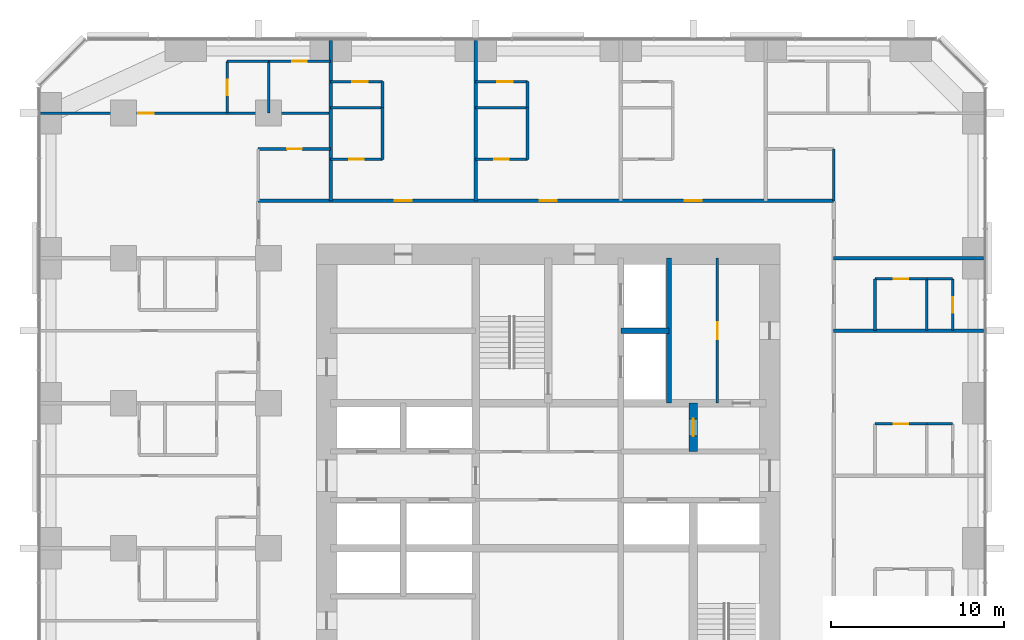
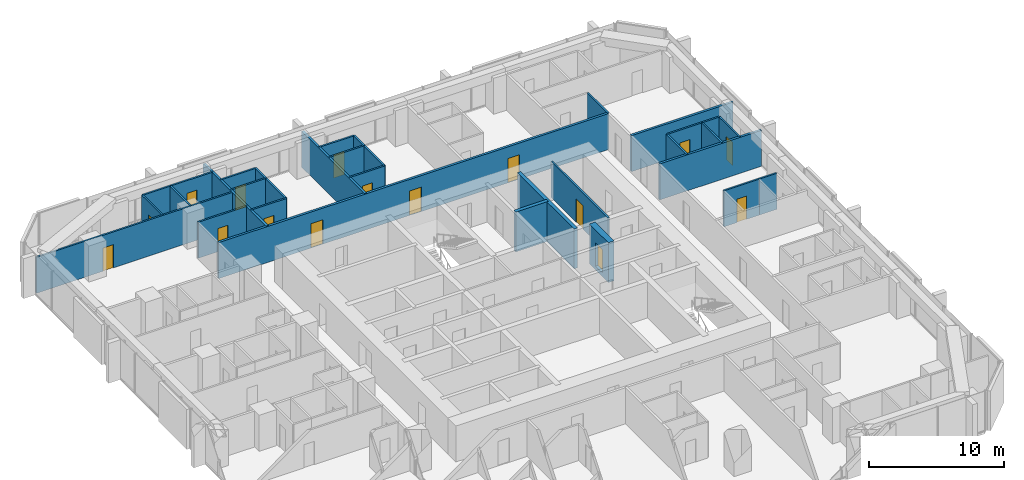
# One storey, part 12 of 14: 33 walls, 16 doors, 16 openings.
"""IFC4 building model written with IfcOpenShell, lengths in metres."""

from ifc_helpers import new_model, si_unit, direction, frame, frame_2d, origin, place, context, subcontext, project, spatial, rectangle, extrude, material, layer, layer_set, type_object, element, fill, save


model = new_model("IFC4")

# Units and contexts
model_context = context("Model", 3, precision=1e-05, world=origin(), true_north=direction((0.0, 1.0)))
body_context = subcontext(model_context, "Body", "Model", "MODEL_VIEW")
ifc_project = project(units=[si_unit("LENGTHUNIT", "METRE"), si_unit("AREAUNIT", "SQUARE_METRE"), si_unit("VOLUMEUNIT", "CUBIC_METRE"), si_unit("PLANEANGLEUNIT", "RADIAN"), si_unit("MASSUNIT", "GRAM", prefix="KILO")], contexts=[model_context])

# Site, building, storey
site_placement = place(None, origin())
site = spatial("IfcSite", under=ifc_project, at=site_placement, CompositionType="ELEMENT")
building_placement = place(site_placement, origin())
building = spatial("IfcBuilding", under=site, at=building_placement, Name="Dunama Terrace Hotel", CompositionType="ELEMENT")
storey_placement = place(building_placement, frame((0.0, 0.0, 108.0)))
storey = spatial("IfcBuildingStorey", under=building, at=storey_placement, Name="L27", CompositionType="ELEMENT", Elevation=108.0)

# Walls
ifc_material_1 = material(Name="Gypsum board partition", Category="masonry")
ifc_layer_1 = layer(ifc_material_1, 0.14990234375)
ifc_layer_set_1 = layer_set([ifc_layer_1], Name="Bathroom partition 150")
wall_type_1 = type_object("IfcWallType", Name="Bathroom partition 150", PredefinedType="PARTITIONING", material=ifc_layer_set_1)
for number, where, z_axis, x_axis, name in (
    (1, (19.800048828125, 47.72509765625, 0.0), (0.0, 0.0, 1.0), (0.0, 1.0, 0.0), "Bathroom partition 150 L27"),
    (2, (28.199951171875, 47.72509765625, 0.0), (0.0, 0.0, 1.0), (0.0, 1.0, 0.0), "Bathroom partition 150 L27"),
    (3, (45.925048828125, 45.324951171875, 0.0), (0.0, 0.0, 1.0), (0.0, 1.0, 0.0), "Bathroom partition 150 L27"),
    (4, (48.324951171875, 37.800048828125, 0.0), (0.0, 0.0, 1.0), (0.0, 1.0, 0.0), "Bathroom partition 150 L27"),
):
    element("IfcWall", number, at=place(storey_placement, frame(where, z_axis=z_axis, x_axis=x_axis)), inside=storey, type_object=wall_type_1, Name=name, PredefinedType="PARTITIONING", context=body_context, shape_type="SweptSolid", body=[
        extrude(rectangle(XDim=3.0, YDim=0.14990234375, at=frame_2d((1.5, 0.0))), origin(), (0.0, 0.0, 1.0), 3.25),
    ])

# Wall, opening, door
wall_1_placement = place(storey_placement, frame((48.324951171875, 32.39990234375, 0.0), z_axis=(0.0, 0.0, 1.0), x_axis=(1.0, 0.0, 0.0)))
wall_1 = element("IfcWall", 5, at=wall_1_placement, inside=storey, type_object=wall_type_1, Name="Bathroom partition 150 L27", PredefinedType="PARTITIONING", context=body_context, shape_type="SweptSolid", body=[
    extrude(rectangle(XDim=3.0, YDim=0.14990234375, at=frame_2d((1.5, 0.0))), origin(), (0.0, 0.0, 1.0), 3.25),
])
opening_1_placement = place(wall_1_placement, frame((1.074951171875, 0.0, 0.0)))
opening_1 = element("IfcOpeningElement", 6, at=opening_1_placement, cuts=wall_1, Name="Opening L25-27-030", PredefinedType="OPENING", context=body_context, shape_type="SweptSolid", body=[
    extrude(rectangle(XDim=0.85009765625, YDim=2.10009765625, at=frame_2d((0.425048828125, 1.050048828125))), frame((0.0, 0.0849609375, 0.0), z_axis=(0.0, -1.0, 0.0), x_axis=(1.0, 0.0, 0.0)), (0.0, 0.0, 1.0), 0.169921875),
])
ifc_material_2 = material(Name="Timber door with steel frame", Category="steel")
door_type_1 = type_object("IfcDoorType", Name="Bathroom door 850", OperationType="SINGLE_SWING_LEFT", PredefinedType="DOOR", material=ifc_material_2)
door_1_placement = place(opening_1_placement, frame((0.85009765625, 0.0, 0.0), z_axis=(0.0, 0.0, 1.0), x_axis=(-1.0, 0.0, 0.0)))
door_1 = element("IfcDoor", 7, at=door_1_placement, inside=storey, type_object=door_type_1, Name="Door to en-suite bathroom L25-27-030, type D2", OperationType="SINGLE_SWING_LEFT", OverallHeight=2.10009765625, OverallWidth=0.85009765625, PredefinedType="DOOR", context=body_context, shape_type="SweptSolid", body=[
    extrude(rectangle(XDim=0.85009765625, YDim=2.10009765625, at=frame_2d((0.425048828125, 1.050048828125))), frame((0.0, 0.025146484375, 0.0), z_axis=(0.0, -1.0, 0.0), x_axis=(1.0, 0.0, 0.0)), (0.0, 0.0, 1.0), 0.050048828125),
])
fill(opening_1, door_1)

wall_2_placement = place(storey_placement, frame((48.324951171875, 40.800048828125, 0.0), z_axis=(0.0, 0.0, 1.0), x_axis=(1.0, 0.0, 0.0)))
wall_2 = element("IfcWall", 8, at=wall_2_placement, inside=storey, type_object=wall_type_1, Name="Bathroom partition 150 L27", PredefinedType="PARTITIONING", context=body_context, shape_type="SweptSolid", body=[
    extrude(rectangle(XDim=3.0, YDim=0.14990234375, at=frame_2d((1.5, 0.0))), origin(), (0.0, 0.0, 1.0), 3.25),
])
opening_2_placement = place(wall_2_placement, frame((1.074951171875, 0.0, 0.0)))
opening_2 = element("IfcOpeningElement", 9, at=opening_2_placement, cuts=wall_2, Name="Opening L25-27-033", PredefinedType="OPENING", context=body_context, shape_type="SweptSolid", body=[
    extrude(rectangle(XDim=0.85009765625, YDim=2.10009765625, at=frame_2d((0.425048828125, 1.050048828125))), frame((0.0, 0.0849609375, 0.0), z_axis=(0.0, -1.0, 0.0), x_axis=(1.0, 0.0, 0.0)), (0.0, 0.0, 1.0), 0.169921875),
])
door_2_placement = place(opening_2_placement, frame((0.85009765625, 0.0, 0.0), z_axis=(0.0, 0.0, 1.0), x_axis=(-1.0, 0.0, 0.0)))
door_2 = element("IfcDoor", 10, at=door_2_placement, inside=storey, type_object=door_type_1, Name="Door to en-suite bathroom L25-27-033, type D2", OperationType="SINGLE_SWING_LEFT", OverallHeight=2.10009765625, OverallWidth=0.85009765625, PredefinedType="DOOR", context=body_context, shape_type="SweptSolid", body=[
    extrude(rectangle(XDim=0.85009765625, YDim=2.10009765625, at=frame_2d((0.425048828125, 1.050048828125))), frame((0.0, 0.025146484375, 0.0), z_axis=(0.0, -1.0, 0.0), x_axis=(1.0, 0.0, 0.0)), (0.0, 0.0, 1.0), 0.050048828125),
])
fill(opening_2, door_2)

wall_3_placement = place(storey_placement, frame((16.800048828125, 47.72509765625, 0.0), z_axis=(0.0, 0.0, 1.0), x_axis=(1.0, 0.0, 0.0)))
wall_3 = element("IfcWall", 11, at=wall_3_placement, inside=storey, type_object=wall_type_1, Name="Bathroom partition 150 L27", PredefinedType="PARTITIONING", context=body_context, shape_type="SweptSolid", body=[
    extrude(rectangle(XDim=3.0, YDim=0.14990234375, at=frame_2d((1.5, 0.0))), origin(), (0.0, 0.0, 1.0), 3.25),
])
opening_3_placement = place(wall_3_placement, frame((1.074951171875, 0.0, 0.0)))
opening_3 = element("IfcOpeningElement", 12, at=opening_3_placement, cuts=wall_3, Name="Opening L25-27-036", PredefinedType="OPENING", context=body_context, shape_type="SweptSolid", body=[
    extrude(rectangle(XDim=0.85009765625, YDim=2.10009765625, at=frame_2d((0.425048828125, 1.050048828125))), frame((0.0, 0.0849609375, 0.0), z_axis=(0.0, -1.0, 0.0), x_axis=(1.0, 0.0, 0.0)), (0.0, 0.0, 1.0), 0.169921875),
])
door_3_placement = place(opening_3_placement, origin())
door_3 = element("IfcDoor", 13, at=door_3_placement, inside=storey, type_object=door_type_1, Name="Door to en-suite bathroom L25-27-036, type D2", OperationType="SINGLE_SWING_LEFT", OverallHeight=2.10009765625, OverallWidth=0.85009765625, PredefinedType="DOOR", context=body_context, shape_type="SweptSolid", body=[
    extrude(rectangle(XDim=0.85009765625, YDim=2.10009765625, at=frame_2d((0.425048828125, 1.050048828125))), frame((0.0, 0.02490234375, 0.0), z_axis=(0.0, -1.0, 0.0), x_axis=(1.0, 0.0, 0.0)), (0.0, 0.0, 1.0), 0.050048828125),
])
fill(opening_3, door_3)

wall_4_placement = place(storey_placement, frame((25.199951171875, 47.72509765625, 0.0), z_axis=(0.0, 0.0, 1.0), x_axis=(1.0, 0.0, 0.0)))
wall_4 = element("IfcWall", 14, at=wall_4_placement, inside=storey, type_object=wall_type_1, Name="Bathroom partition 150 L27", PredefinedType="PARTITIONING", context=body_context, shape_type="SweptSolid", body=[
    extrude(rectangle(XDim=3.0, YDim=0.14990234375, at=frame_2d((1.5, 0.0))), origin(), (0.0, 0.0, 1.0), 3.25),
])
opening_4_placement = place(wall_4_placement, frame((1.074951171875, 0.0, 0.0)))
opening_4 = element("IfcOpeningElement", 15, at=opening_4_placement, cuts=wall_4, Name="Opening L25-27-039", PredefinedType="OPENING", context=body_context, shape_type="SweptSolid", body=[
    extrude(rectangle(XDim=0.85009765625, YDim=2.10009765625, at=frame_2d((0.425048828125, 1.050048828125))), frame((0.0, 0.0849609375, 0.0), z_axis=(0.0, -1.0, 0.0), x_axis=(1.0, 0.0, 0.0)), (0.0, 0.0, 1.0), 0.169921875),
])
door_4_placement = place(opening_4_placement, origin())
door_4 = element("IfcDoor", 16, at=door_4_placement, inside=storey, type_object=door_type_1, Name="Door to en-suite bathroom L25-27-039, type D2", OperationType="SINGLE_SWING_LEFT", OverallHeight=2.10009765625, OverallWidth=0.85009765625, PredefinedType="DOOR", context=body_context, shape_type="SweptSolid", body=[
    extrude(rectangle(XDim=0.85009765625, YDim=2.10009765625, at=frame_2d((0.425048828125, 1.050048828125))), frame((0.0, 0.02490234375, 0.0), z_axis=(0.0, -1.0, 0.0), x_axis=(1.0, 0.0, 0.0)), (0.0, 0.0, 1.0), 0.050048828125),
])
fill(opening_4, door_4)

wall_5_placement = place(storey_placement, frame((12.60009765625, 48.324951171875, 0.0), z_axis=(0.0, 0.0, 1.0), x_axis=(1.0, 0.0, 0.0)))
wall_5 = element("IfcWall", 17, at=wall_5_placement, inside=storey, type_object=wall_type_1, Name="Bathroom partition 150 L27", PredefinedType="PARTITIONING", context=body_context, shape_type="SweptSolid", body=[
    extrude(rectangle(XDim=4.199951171875, YDim=0.14990234375, at=frame_2d((2.10009765625, 0.0))), origin(), (0.0, 0.0, 1.0), 3.25),
])
opening_5_placement = place(wall_5_placement, frame((1.675048828125, 0.0, 0.0)))
opening_5 = element("IfcOpeningElement", 18, at=opening_5_placement, cuts=wall_5, Name="Opening L25-27-075", PredefinedType="OPENING", context=body_context, shape_type="SweptSolid", body=[
    extrude(rectangle(XDim=0.85009765625, YDim=2.10009765625, at=frame_2d((0.425048828125, 1.050048828125))), frame((0.0, 0.0849609375, 0.0), z_axis=(0.0, -1.0, 0.0), x_axis=(1.0, 0.0, 0.0)), (0.0, 0.0, 1.0), 0.169921875),
])
door_5_placement = place(opening_5_placement, frame((0.85009765625, 0.0, 0.0), z_axis=(0.0, 0.0, 1.0), x_axis=(-1.0, 0.0, 0.0)))
door_5 = element("IfcDoor", 19, at=door_5_placement, inside=storey, type_object=door_type_1, Name="Door to powder room L25-27-075, type D2", OperationType="SINGLE_SWING_RIGHT", OverallHeight=2.10009765625, OverallWidth=0.85009765625, PredefinedType="DOOR", context=body_context, shape_type="SweptSolid", body=[
    extrude(rectangle(XDim=0.85009765625, YDim=2.10009765625, at=frame_2d((0.425048828125, 1.050048828125))), frame((0.0, 0.025146484375, 0.0), z_axis=(0.0, -1.0, 0.0), x_axis=(1.0, 0.0, 0.0)), (0.0, 0.0, 1.0), 0.050048828125),
])
fill(opening_5, door_5)

wall_6_placement = place(storey_placement, frame((13.199951171875, 53.39990234375, 0.0), z_axis=(0.0, 0.0, 1.0), x_axis=(1.0, 0.0, 0.0)))
wall_6 = element("IfcWall", 20, at=wall_6_placement, inside=storey, type_object=wall_type_1, Name="Bathroom partition 150 L27", PredefinedType="PARTITIONING", context=body_context, shape_type="SweptSolid", body=[
    extrude(rectangle(XDim=3.60009765625, YDim=0.14990234375, at=frame_2d((1.800048828125, 0.0))), origin(), (0.0, 0.0, 1.0), 3.25),
])
opening_6_placement = place(wall_6_placement, frame((1.375, 0.0, 0.0)))
opening_6 = element("IfcOpeningElement", 21, at=opening_6_placement, cuts=wall_6, Name="Opening L25-27-077", PredefinedType="OPENING", context=body_context, shape_type="SweptSolid", body=[
    extrude(rectangle(XDim=0.85009765625, YDim=2.10009765625, at=frame_2d((0.425048828125, 1.050048828125))), frame((0.0, 0.0849609375, 0.0), z_axis=(0.0, -1.0, 0.0), x_axis=(1.0, 0.0, 0.0)), (0.0, 0.0, 1.0), 0.169921875),
])
door_6_placement = place(opening_6_placement, frame((0.85009765625, 0.0, 0.0), z_axis=(0.0, 0.0, 1.0), x_axis=(-1.0, 0.0, 0.0)))
door_6 = element("IfcDoor", 22, at=door_6_placement, inside=storey, type_object=door_type_1, Name="Door to en-suite bathroom L25-27-077, type D2", OperationType="SINGLE_SWING_LEFT", OverallHeight=2.10009765625, OverallWidth=0.85009765625, PredefinedType="DOOR", context=body_context, shape_type="SweptSolid", body=[
    extrude(rectangle(XDim=0.85009765625, YDim=2.10009765625, at=frame_2d((0.425048828125, 1.050048828125))), frame((0.0, 0.025146484375, 0.0), z_axis=(0.0, -1.0, 0.0), x_axis=(1.0, 0.0, 0.0)), (0.0, 0.0, 1.0), 0.050048828125),
])
fill(opening_6, door_6)

# Walls
ifc_material_3 = material(Name="Concrete C50/60", Category="concrete")
ifc_layer_2 = layer(ifc_material_3, 0.300048828125)
ifc_layer_set_2 = layer_set([ifc_layer_2], Name="Core inner wall 300")
wall_type_2 = type_object("IfcWallType", Name="Core inner wall 300", PredefinedType="SHEAR", material=ifc_layer_set_2)
wall_7_placement = place(storey_placement, frame((36.39990234375, 33.60009765625, -0.35009765625), z_axis=(0.0, 0.0, 1.0), x_axis=(0.0, 1.0, 0.0)))
element("IfcWall", 23, at=wall_7_placement, inside=storey, type_object=wall_type_2, Name="Core inner wall 300 L27", PredefinedType="SHEAR", context=body_context, shape_type="SweptSolid", body=[
    extrude(rectangle(XDim=8.39990234375, YDim=0.300048828125, at=frame_2d((4.199951171875, 0.0))), origin(), (0.0, 0.0, 1.0), 3.60009765625),
])
wall_8_placement = place(storey_placement, frame((33.60009765625, 37.800048828125, -0.35009765625), z_axis=(0.0, 0.0, 1.0), x_axis=(1.0, 0.0, 0.0)))
element("IfcWall", 24, at=wall_8_placement, inside=storey, type_object=wall_type_2, Name="Core inner wall 300 L27", PredefinedType="SHEAR", context=body_context, shape_type="SweptSolid", body=[
    extrude(rectangle(XDim=2.7998046875, YDim=0.300048828125, at=frame_2d((1.39990234375, 0.0))), origin(), (0.0, 0.0, 1.0), 3.60009765625),
])

# Wall, opening, door
ifc_material_4 = material(Name="Concrete C50/60", Category="concrete")
ifc_layer_3 = layer(ifc_material_4, 0.5)
ifc_layer_set_3 = layer_set([ifc_layer_3], Name="Core inner wall 500")
wall_type_3 = type_object("IfcWallType", Name="Core inner wall 500", PredefinedType="SHEAR", material=ifc_layer_set_3)
wall_9_placement = place(storey_placement, frame((37.800048828125, 30.800048828125, -0.35009765625), z_axis=(0.0, 0.0, 1.0), x_axis=(0.0, 1.0, 0.0)))
wall_9 = element("IfcWall", 25, at=wall_9_placement, inside=storey, type_object=wall_type_3, Name="Core inner wall 500 L27", PredefinedType="SHEAR", context=body_context, shape_type="SweptSolid", body=[
    extrude(rectangle(XDim=2.800048828125, YDim=0.5, at=frame_2d((1.39990234375, 0.0))), origin(), (0.0, 0.0, 1.0), 3.60009765625),
])
opening_7_placement = place(wall_9_placement, frame((0.89990234375, 0.0, 0.35009765625)))
opening_7 = element("IfcOpeningElement", 26, at=opening_7_placement, cuts=wall_9, Name="Opening L25-27-087", PredefinedType="OPENING", context=body_context, shape_type="SweptSolid", body=[
    extrude(rectangle(XDim=1.0, YDim=2.10009765625, at=frame_2d((0.5, 1.050048828125))), frame((0.0, 0.260009765625, 0.0), z_axis=(0.0, -1.0, 0.0), x_axis=(1.0, 0.0, 0.0)), (0.0, 0.0, 1.0), 0.52001953125),
])
ifc_material_5 = material(Name="Timber door with steel frame", Category="steel")
door_type_2 = type_object("IfcDoorType", Name="Service door 1000", OperationType="SINGLE_SWING_LEFT", PredefinedType="DOOR", material=ifc_material_5)
door_7_placement = place(opening_7_placement, frame((1.0, 0.0, 0.0), z_axis=(0.0, 0.0, 1.0), x_axis=(-1.0, 0.0, 0.0)))
door_7 = element("IfcDoor", 27, at=door_7_placement, inside=storey, type_object=door_type_2, Name="Door to service riser L25-27-087, type D7", OperationType="SINGLE_SWING_LEFT", OverallHeight=2.10009765625, OverallWidth=1.0, PredefinedType="DOOR", context=body_context, shape_type="SweptSolid", body=[
    extrude(rectangle(XDim=1.0, YDim=2.10009765625, at=frame_2d((0.5, 1.050048828125))), frame((0.0, 0.025146484375, 0.0), z_axis=(0.0, -1.0, 0.0), x_axis=(1.0, 0.0, 0.0)), (0.0, 0.0, 1.0), 0.050048828125),
])
fill(opening_7, door_7)

# Wall, openings, doors
ifc_material_6 = material(Name="Concrete blockwork", Category="masonry")
ifc_layer_4 = layer(ifc_material_6, 0.199951171875)
ifc_layer_set_4 = layer_set([ifc_layer_4], Name="Corridor partition 200")
wall_type_4 = type_object("IfcWallType", Name="Corridor partition 200", PredefinedType="PARTITIONING", material=ifc_layer_set_4)
wall_10_placement = place(storey_placement, frame((12.60009765625, 45.324951171875, 0.0), z_axis=(0.0, 0.0, 1.0), x_axis=(1.0, 0.0, 0.0)))
wall_10 = element("IfcWall", 28, at=wall_10_placement, inside=storey, type_object=wall_type_4, Name="Corridor partition 200 L27", PredefinedType="PARTITIONING", context=body_context, shape_type="SweptSolid", body=[
    extrude(rectangle(XDim=33.324951171875, YDim=0.199951171875, at=frame_2d((16.66259765625, 0.0))), origin(), (0.0, 0.0, 1.0), 3.25),
])
opening_8_placement = place(wall_10_placement, frame((7.89990234375, 0.0, 0.0)))
opening_8 = element("IfcOpeningElement", 29, at=opening_8_placement, cuts=wall_10, Name="Opening L25-27-035", PredefinedType="OPENING", context=body_context, shape_type="SweptSolid", body=[
    extrude(rectangle(XDim=1.0, YDim=2.199951171875, at=frame_2d((0.5, 1.10009765625))), frame((0.0, 0.10986328125, 0.0), z_axis=(0.0, -1.0, 0.0), x_axis=(1.0, 0.0, 0.0)), (0.0, 0.0, 1.0), 0.219970703125),
])
opening_9_placement = place(wall_10_placement, frame((16.300048828125, 0.0, 0.0)))
opening_9 = element("IfcOpeningElement", 30, at=opening_9_placement, cuts=wall_10, Name="Opening L25-27-038", PredefinedType="OPENING", context=body_context, shape_type="SweptSolid", body=[
    extrude(rectangle(XDim=1.0, YDim=2.199951171875, at=frame_2d((0.5, 1.10009765625))), frame((0.0, 0.10986328125, 0.0), z_axis=(0.0, -1.0, 0.0), x_axis=(1.0, 0.0, 0.0)), (0.0, 0.0, 1.0), 0.219970703125),
])
opening_10_placement = place(wall_10_placement, frame((24.699951171875, 0.0, 0.0)))
opening_10 = element("IfcOpeningElement", 31, at=opening_10_placement, cuts=wall_10, Name="Opening L25-27-041", PredefinedType="OPENING", context=body_context, shape_type="SweptSolid", body=[
    extrude(rectangle(XDim=1.0, YDim=2.199951171875, at=frame_2d((0.5, 1.10009765625))), frame((0.0, 0.10986328125, 0.0), z_axis=(0.0, -1.0, 0.0), x_axis=(1.0, 0.0, 0.0)), (0.0, 0.0, 1.0), 0.219970703125),
])
ifc_material_7 = material(Name="Timber door with steel frame", Category="steel")
door_type_3 = type_object("IfcDoorType", Name="Guest room door 1000", OperationType="SINGLE_SWING_LEFT", PredefinedType="DOOR", material=ifc_material_7)
door_8_placement = place(opening_8_placement, origin())
door_8 = element("IfcDoor", 32, at=door_8_placement, inside=storey, type_object=door_type_3, Name="Door to junior suite L25-27-035, type D1", OperationType="SINGLE_SWING_LEFT", OverallHeight=2.199951171875, OverallWidth=1.0, PredefinedType="DOOR", context=body_context, shape_type="SweptSolid", body=[
    extrude(rectangle(XDim=1.0, YDim=2.199951171875, at=frame_2d((0.5, 1.10009765625))), frame((0.0, 0.02490234375, 0.0), z_axis=(0.0, -1.0, 0.0), x_axis=(1.0, 0.0, 0.0)), (0.0, 0.0, 1.0), 0.050048828125),
])
fill(opening_8, door_8)
door_9_placement = place(opening_9_placement, origin())
door_9 = element("IfcDoor", 33, at=door_9_placement, inside=storey, type_object=door_type_3, Name="Door to junior suite L25-27-038, type D1", OperationType="SINGLE_SWING_LEFT", OverallHeight=2.199951171875, OverallWidth=1.0, PredefinedType="DOOR", context=body_context, shape_type="SweptSolid", body=[
    extrude(rectangle(XDim=1.0, YDim=2.199951171875, at=frame_2d((0.5, 1.10009765625))), frame((0.0, 0.02490234375, 0.0), z_axis=(0.0, -1.0, 0.0), x_axis=(1.0, 0.0, 0.0)), (0.0, 0.0, 1.0), 0.050048828125),
])
fill(opening_9, door_9)
door_10_placement = place(opening_10_placement, origin())
door_10 = element("IfcDoor", 34, at=door_10_placement, inside=storey, type_object=door_type_3, Name="Door to junior suite L25-27-041, type D1", OperationType="SINGLE_SWING_LEFT", OverallHeight=2.199951171875, OverallWidth=1.0, PredefinedType="DOOR", context=body_context, shape_type="SweptSolid", body=[
    extrude(rectangle(XDim=1.0, YDim=2.199951171875, at=frame_2d((0.5, 1.10009765625))), frame((0.0, 0.02490234375, 0.0), z_axis=(0.0, -1.0, 0.0), x_axis=(1.0, 0.0, 0.0)), (0.0, 0.0, 1.0), 0.050048828125),
])
fill(opening_10, door_10)

# Walls
ifc_material_8 = material(Name="Concrete blockwork", Category="masonry")
ifc_layer_5 = layer(ifc_material_8, 0.199951171875)
ifc_layer_set_5 = layer_set([ifc_layer_5], Name="Party wall 200")
wall_type_5 = type_object("IfcWallType", Name="Party wall 200", PredefinedType="PARTITIONING", material=ifc_layer_set_5)
for number, where, z_axis, x_axis, name in (
    (35, (16.800048828125, 45.324951171875, 0.0), (0.0, 0.0, 1.0), (0.0, 1.0, 0.0), "Party wall 200 L27"),
    (36, (25.199951171875, 45.324951171875, 0.0), (0.0, 0.0, 1.0), (0.0, 1.0, 0.0), "Party wall 200 L27"),
):
    element("IfcWall", number, at=place(storey_placement, frame(where, z_axis=z_axis, x_axis=x_axis)), inside=storey, type_object=wall_type_5, Name=name, PredefinedType="PARTITIONING", context=body_context, shape_type="SweptSolid", body=[
        extrude(rectangle(XDim=9.29296875, YDim=0.199951171875, at=frame_2d((4.646484375, 0.0))), origin(), (0.0, 0.0, 1.0), 3.25),
    ])
for number, where, z_axis, x_axis, name in (
    (37, (45.925048828125, 37.800048828125, 0.0), (0.0, 0.0, 1.0), (1.0, 0.0, 0.0), "Party wall 200 L27"),
    (38, (45.925048828125, 42.0, 0.0), (0.0, 0.0, 1.0), (1.0, 0.0, 0.0), "Party wall 200 L27"),
):
    element("IfcWall", number, at=place(storey_placement, frame(where, z_axis=z_axis, x_axis=x_axis)), inside=storey, type_object=wall_type_5, Name=name, PredefinedType="PARTITIONING", context=body_context, shape_type="SweptSolid", body=[
        extrude(rectangle(XDim=8.69287109375, YDim=0.199951171875, at=frame_2d((4.346435546875, 0.0))), origin(), (0.0, 0.0, 1.0), 3.25),
    ])

# Wall, opening, door
ifc_material_9 = material(Name="Gypsum board partition", Category="masonry")
ifc_layer_6 = layer(ifc_material_9, 0.14990234375)
ifc_layer_set_6 = layer_set([ifc_layer_6], Name="Room partition 150")
wall_type_6 = type_object("IfcWallType", Name="Room partition 150", PredefinedType="PARTITIONING", material=ifc_layer_set_6)
wall_11_placement = place(storey_placement, frame((10.800048828125, 50.39990234375, 0.0), z_axis=(0.0, 0.0, 1.0), x_axis=(0.0, 1.0, 0.0)))
wall_11 = element("IfcWall", 39, at=wall_11_placement, inside=storey, type_object=wall_type_6, Name="Room partition 150 L27", PredefinedType="PARTITIONING", context=body_context, shape_type="SweptSolid", body=[
    extrude(rectangle(XDim=3.0, YDim=0.14990234375, at=frame_2d((1.5, 0.0))), origin(), (0.0, 0.0, 1.0), 3.25),
])
opening_11_placement = place(wall_11_placement, frame((1.050048828125, 0.0, 0.0)))
opening_11 = element("IfcOpeningElement", 40, at=opening_11_placement, cuts=wall_11, Name="Opening L25-27-078", PredefinedType="OPENING", context=body_context, shape_type="SweptSolid", body=[
    extrude(rectangle(XDim=0.89990234375, YDim=2.10009765625, at=frame_2d((0.449951171875, 1.050048828125))), frame((0.0, 0.0849609375, 0.0), z_axis=(0.0, -1.0, 0.0), x_axis=(1.0, 0.0, 0.0)), (0.0, 0.0, 1.0), 0.169921875),
])
ifc_material_10 = material(Name="Timber door with steel frame", Category="steel")
door_type_4 = type_object("IfcDoorType", Name="Suite internal door 900", OperationType="SINGLE_SWING_LEFT", PredefinedType="DOOR", material=ifc_material_10)
door_11_placement = place(opening_11_placement, frame((0.89990234375, 0.0, 0.0), z_axis=(0.0, 0.0, 1.0), x_axis=(-1.0, 0.0, 0.0)))
door_11 = element("IfcDoor", 41, at=door_11_placement, inside=storey, type_object=door_type_4, Name="Door to dressing room L25-27-078, type D16", OperationType="SINGLE_SWING_RIGHT", OverallHeight=2.10009765625, OverallWidth=0.89990234375, PredefinedType="DOOR", context=body_context, shape_type="SweptSolid", body=[
    extrude(rectangle(XDim=0.89990234375, YDim=2.10009765625, at=frame_2d((0.449951171875, 1.050048828125))), frame((0.0, 0.025146484375, 0.0), z_axis=(0.0, -1.0, 0.0), x_axis=(1.0, 0.0, 0.0)), (0.0, 0.0, 1.0), 0.050048828125),
])
fill(opening_11, door_11)

# Walls
wall_12_placement = place(storey_placement, frame((13.199951171875, 50.39990234375, 0.0), z_axis=(0.0, 0.0, 1.0), x_axis=(0.0, 1.0, 0.0)))
element("IfcWall", 42, at=wall_12_placement, inside=storey, type_object=wall_type_6, Name="Room partition 150 L27", PredefinedType="PARTITIONING", context=body_context, shape_type="SweptSolid", body=[
    extrude(rectangle(XDim=3.0, YDim=0.14990234375, at=frame_2d((1.5, 0.0))), origin(), (0.0, 0.0, 1.0), 3.25),
])
for number, where, z_axis, x_axis, name in (
    (43, (19.800048828125, 50.72509765625, 0.0), (0.0, 0.0, 1.0), (0.0, 1.0, 0.0), "Room partition 150 L27"),
    (44, (28.199951171875, 50.72509765625, 0.0), (0.0, 0.0, 1.0), (0.0, 1.0, 0.0), "Room partition 150 L27"),
):
    element("IfcWall", number, at=place(storey_placement, frame(where, z_axis=z_axis, x_axis=x_axis)), inside=storey, type_object=wall_type_6, Name=name, PredefinedType="PARTITIONING", context=body_context, shape_type="SweptSolid", body=[
        extrude(rectangle(XDim=1.5, YDim=0.14990234375, at=frame_2d((0.75, 0.0))), origin(), (0.0, 0.0, 1.0), 3.25),
    ])

# Wall, opening, door
wall_13_placement = place(storey_placement, frame((39.199951171875, 33.60009765625, 0.0), z_axis=(0.0, 0.0, 1.0), x_axis=(0.0, 1.0, 0.0)))
wall_13 = element("IfcWall", 45, at=wall_13_placement, inside=storey, type_object=wall_type_6, Name="Room partition 150 L27", PredefinedType="PARTITIONING", context=body_context, shape_type="SweptSolid", body=[
    extrude(rectangle(XDim=8.39990234375, YDim=0.14990234375, at=frame_2d((4.199951171875, 0.0))), origin(), (0.0, 0.0, 1.0), 3.25),
])
opening_12_placement = place(wall_13_placement, frame((3.699951171875, 0.0, 0.0)))
opening_12 = element("IfcOpeningElement", 46, at=opening_12_placement, cuts=wall_13, Name="Opening L25-27-092", PredefinedType="OPENING", context=body_context, shape_type="SweptSolid", body=[
    extrude(rectangle(XDim=1.0, YDim=2.10009765625, at=frame_2d((0.5, 1.050048828125))), frame((0.0, 0.0849609375, 0.0), z_axis=(0.0, -1.0, 0.0), x_axis=(1.0, 0.0, 0.0)), (0.0, 0.0, 1.0), 0.169921875),
])
door_12_placement = place(opening_12_placement, origin())
door_12 = element("IfcDoor", 47, at=door_12_placement, inside=storey, type_object=door_type_2, Name="Door to cleaners store L25-27-092, type D7", OperationType="SINGLE_SWING_LEFT", OverallHeight=2.10009765625, OverallWidth=1.0, PredefinedType="DOOR", context=body_context, shape_type="SweptSolid", body=[
    extrude(rectangle(XDim=1.0, YDim=2.10009765625, at=frame_2d((0.5, 1.050048828125))), frame((0.0, 0.02490234375, 0.0), z_axis=(0.0, -1.0, 0.0), x_axis=(1.0, 0.0, 0.0)), (0.0, 0.0, 1.0), 0.050048828125),
])
fill(opening_12, door_12)

# Wall
wall_14_placement = place(storey_placement, frame((51.324951171875, 37.800048828125, 0.0), z_axis=(0.0, 0.0, 1.0), x_axis=(0.0, 1.0, 0.0)))
element("IfcWall", 48, at=wall_14_placement, inside=storey, type_object=wall_type_6, Name="Room partition 150 L27", PredefinedType="PARTITIONING", context=body_context, shape_type="SweptSolid", body=[
    extrude(rectangle(XDim=3.0, YDim=0.14990234375, at=frame_2d((1.5, 0.0))), origin(), (0.0, 0.0, 1.0), 3.25),
])

# Wall, opening, door
wall_15_placement = place(storey_placement, frame((52.824951171875, 37.800048828125, 0.0), z_axis=(0.0, 0.0, 1.0), x_axis=(0.0, 1.0, 0.0)))
wall_15 = element("IfcWall", 49, at=wall_15_placement, inside=storey, type_object=wall_type_6, Name="Room partition 150 L27", PredefinedType="PARTITIONING", context=body_context, shape_type="SweptSolid", body=[
    extrude(rectangle(XDim=3.0, YDim=0.14990234375, at=frame_2d((1.5, 0.0))), origin(), (0.0, 0.0, 1.0), 3.25),
])
opening_13_placement = place(wall_15_placement, frame((1.050048828125, 0.0, 0.0)))
opening_13 = element("IfcOpeningElement", 50, at=opening_13_placement, cuts=wall_15, Name="Opening L25-27-034", PredefinedType="OPENING", context=body_context, shape_type="SweptSolid", body=[
    extrude(rectangle(XDim=0.89990234375, YDim=2.10009765625, at=frame_2d((0.449951171875, 1.050048828125))), frame((0.0, 0.0849609375, 0.0), z_axis=(0.0, -1.0, 0.0), x_axis=(1.0, 0.0, 0.0)), (0.0, 0.0, 1.0), 0.169921875),
])
door_13_placement = place(opening_13_placement, origin())
door_13 = element("IfcDoor", 51, at=door_13_placement, inside=storey, type_object=door_type_4, Name="Door to walk-in wardrobe L25-27-034, type D16", OperationType="SINGLE_SWING_LEFT", OverallHeight=2.10009765625, OverallWidth=0.89990234375, PredefinedType="DOOR", context=body_context, shape_type="SweptSolid", body=[
    extrude(rectangle(XDim=0.89990234375, YDim=2.10009765625, at=frame_2d((0.449951171875, 1.050048828125))), frame((0.0, 0.02490234375, 0.0), z_axis=(0.0, -1.0, 0.0), x_axis=(1.0, 0.0, 0.0)), (0.0, 0.0, 1.0), 0.050048828125),
])
fill(opening_13, door_13)

# Walls
for number, where, z_axis, x_axis, name in (
    (52, (51.324951171875, 32.39990234375, 0.0), (0.0, 0.0, 1.0), (1.0, 0.0, 0.0), "Room partition 150 L27"),
    (53, (51.324951171875, 40.800048828125, 0.0), (0.0, 0.0, 1.0), (1.0, 0.0, 0.0), "Room partition 150 L27"),
):
    element("IfcWall", number, at=place(storey_placement, frame(where, z_axis=z_axis, x_axis=x_axis)), inside=storey, type_object=wall_type_6, Name=name, PredefinedType="PARTITIONING", context=body_context, shape_type="SweptSolid", body=[
        extrude(rectangle(XDim=1.5, YDim=0.14990234375, at=frame_2d((0.75, 0.0))), origin(), (0.0, 0.0, 1.0), 3.25),
    ])

# Wall, opening, door
wall_16_placement = place(storey_placement, frame((-0.01806640625, 50.39990234375, 0.0), z_axis=(0.0, 0.0, 1.0), x_axis=(1.0, 0.0, 0.0)))
wall_16 = element("IfcWall", 54, at=wall_16_placement, inside=storey, type_object=wall_type_6, Name="Room partition 150 L27", PredefinedType="PARTITIONING", context=body_context, shape_type="SweptSolid", body=[
    extrude(rectangle(XDim=16.818115234375, YDim=0.14990234375, at=frame_2d((8.4091796875, 0.0))), origin(), (0.0, 0.0, 1.0), 3.25),
])
opening_14_placement = place(wall_16_placement, frame((5.66796875, 0.0, 0.0)))
opening_14 = element("IfcOpeningElement", 55, at=opening_14_placement, cuts=wall_16, Name="Opening L25-27-076", PredefinedType="OPENING", context=body_context, shape_type="SweptSolid", body=[
    extrude(rectangle(XDim=0.89990234375, YDim=2.10009765625, at=frame_2d((0.449951171875, 1.050048828125))), frame((0.0, 0.0849609375, 0.0), z_axis=(0.0, -1.0, 0.0), x_axis=(1.0, 0.0, 0.0)), (0.0, 0.0, 1.0), 0.169921875),
])
door_14_placement = place(opening_14_placement, origin())
door_14 = element("IfcDoor", 56, at=door_14_placement, inside=storey, type_object=door_type_4, Name="Door to corner suite bedroom L25-27-076, type D16", OperationType="SINGLE_SWING_LEFT", OverallHeight=2.10009765625, OverallWidth=0.89990234375, PredefinedType="DOOR", context=body_context, shape_type="SweptSolid", body=[
    extrude(rectangle(XDim=0.89990234375, YDim=2.10009765625, at=frame_2d((0.449951171875, 1.050048828125))), frame((0.0, 0.02490234375, 0.0), z_axis=(0.0, -1.0, 0.0), x_axis=(1.0, 0.0, 0.0)), (0.0, 0.0, 1.0), 0.050048828125),
])
fill(opening_14, door_14)

# Walls
for number, where, z_axis, x_axis, name in (
    (57, (16.800048828125, 50.72509765625, 0.0), (0.0, 0.0, 1.0), (1.0, 0.0, 0.0), "Room partition 150 L27"),
    (58, (25.199951171875, 50.72509765625, 0.0), (0.0, 0.0, 1.0), (1.0, 0.0, 0.0), "Room partition 150 L27"),
):
    element("IfcWall", number, at=place(storey_placement, frame(where, z_axis=z_axis, x_axis=x_axis)), inside=storey, type_object=wall_type_6, Name=name, PredefinedType="PARTITIONING", context=body_context, shape_type="SweptSolid", body=[
        extrude(rectangle(XDim=3.0, YDim=0.14990234375, at=frame_2d((1.5, 0.0))), origin(), (0.0, 0.0, 1.0), 3.25),
    ])

# Wall, opening, door
wall_17_placement = place(storey_placement, frame((16.800048828125, 52.22509765625, 0.0), z_axis=(0.0, 0.0, 1.0), x_axis=(1.0, 0.0, 0.0)))
wall_17 = element("IfcWall", 59, at=wall_17_placement, inside=storey, type_object=wall_type_6, Name="Room partition 150 L27", PredefinedType="PARTITIONING", context=body_context, shape_type="SweptSolid", body=[
    extrude(rectangle(XDim=3.0, YDim=0.14990234375, at=frame_2d((1.5, 0.0))), origin(), (0.0, 0.0, 1.0), 3.25),
])
opening_15_placement = place(wall_17_placement, frame((1.25, 0.0, 0.0)))
opening_15 = element("IfcOpeningElement", 60, at=opening_15_placement, cuts=wall_17, Name="Opening L25-27-037", PredefinedType="OPENING", context=body_context, shape_type="SweptSolid", body=[
    extrude(rectangle(XDim=0.89990234375, YDim=2.10009765625, at=frame_2d((0.449951171875, 1.050048828125))), frame((0.0, 0.0849609375, 0.0), z_axis=(0.0, -1.0, 0.0), x_axis=(1.0, 0.0, 0.0)), (0.0, 0.0, 1.0), 0.169921875),
])
door_15_placement = place(opening_15_placement, frame((0.89990234375, 0.0, 0.0), z_axis=(0.0, 0.0, 1.0), x_axis=(-1.0, 0.0, 0.0)))
door_15 = element("IfcDoor", 61, at=door_15_placement, inside=storey, type_object=door_type_4, Name="Door to walk-in wardrobe L25-27-037, type D16", OperationType="SINGLE_SWING_RIGHT", OverallHeight=2.10009765625, OverallWidth=0.89990234375, PredefinedType="DOOR", context=body_context, shape_type="SweptSolid", body=[
    extrude(rectangle(XDim=0.89990234375, YDim=2.10009765625, at=frame_2d((0.449951171875, 1.050048828125))), frame((0.0, 0.025146484375, 0.0), z_axis=(0.0, -1.0, 0.0), x_axis=(1.0, 0.0, 0.0)), (0.0, 0.0, 1.0), 0.050048828125),
])
fill(opening_15, door_15)

wall_18_placement = place(storey_placement, frame((25.199951171875, 52.22509765625, 0.0), z_axis=(0.0, 0.0, 1.0), x_axis=(1.0, 0.0, 0.0)))
wall_18 = element("IfcWall", 62, at=wall_18_placement, inside=storey, type_object=wall_type_6, Name="Room partition 150 L27", PredefinedType="PARTITIONING", context=body_context, shape_type="SweptSolid", body=[
    extrude(rectangle(XDim=3.0, YDim=0.14990234375, at=frame_2d((1.5, 0.0))), origin(), (0.0, 0.0, 1.0), 3.25),
])
opening_16_placement = place(wall_18_placement, frame((1.25, 0.0, 0.0)))
opening_16 = element("IfcOpeningElement", 63, at=opening_16_placement, cuts=wall_18, Name="Opening L25-27-040", PredefinedType="OPENING", context=body_context, shape_type="SweptSolid", body=[
    extrude(rectangle(XDim=0.89990234375, YDim=2.10009765625, at=frame_2d((0.449951171875, 1.050048828125))), frame((0.0, 0.0849609375, 0.0), z_axis=(0.0, -1.0, 0.0), x_axis=(1.0, 0.0, 0.0)), (0.0, 0.0, 1.0), 0.169921875),
])
door_16_placement = place(opening_16_placement, frame((0.89990234375, 0.0, 0.0), z_axis=(0.0, 0.0, 1.0), x_axis=(-1.0, 0.0, 0.0)))
door_16 = element("IfcDoor", 64, at=door_16_placement, inside=storey, type_object=door_type_4, Name="Door to walk-in wardrobe L25-27-040, type D16", OperationType="SINGLE_SWING_RIGHT", OverallHeight=2.10009765625, OverallWidth=0.89990234375, PredefinedType="DOOR", context=body_context, shape_type="SweptSolid", body=[
    extrude(rectangle(XDim=0.89990234375, YDim=2.10009765625, at=frame_2d((0.449951171875, 1.050048828125))), frame((0.0, 0.025146484375, 0.0), z_axis=(0.0, -1.0, 0.0), x_axis=(1.0, 0.0, 0.0)), (0.0, 0.0, 1.0), 0.050048828125),
])
fill(opening_16, door_16)

# Wall
wall_19_placement = place(storey_placement, frame((10.800048828125, 53.39990234375, 0.0), z_axis=(0.0, 0.0, 1.0), x_axis=(1.0, 0.0, 0.0)))
element("IfcWall", 65, at=wall_19_placement, inside=storey, type_object=wall_type_6, Name="Room partition 150 L27", PredefinedType="PARTITIONING", context=body_context, shape_type="SweptSolid", body=[
    extrude(rectangle(XDim=2.39990234375, YDim=0.14990234375, at=frame_2d((1.199951171875, 0.0))), origin(), (0.0, 0.0, 1.0), 3.25),
])

save(model, "model.ifc")
